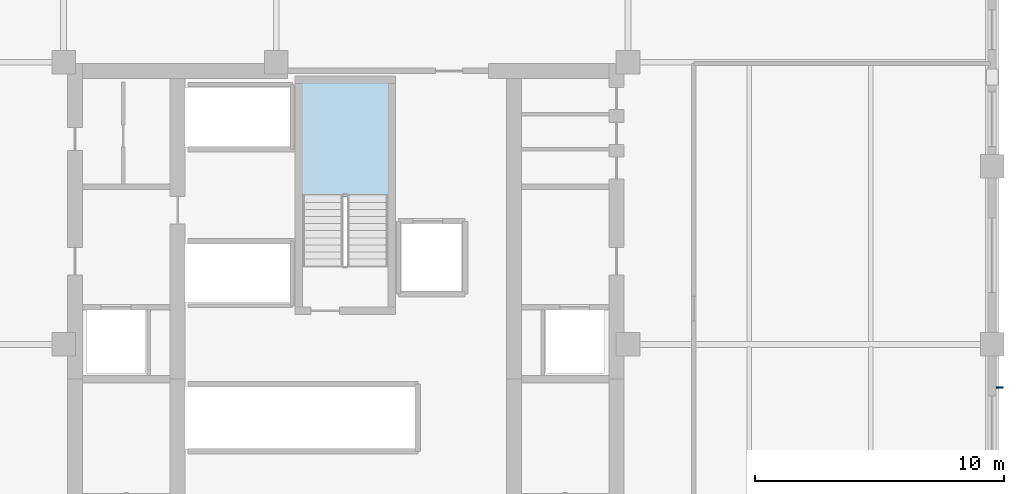
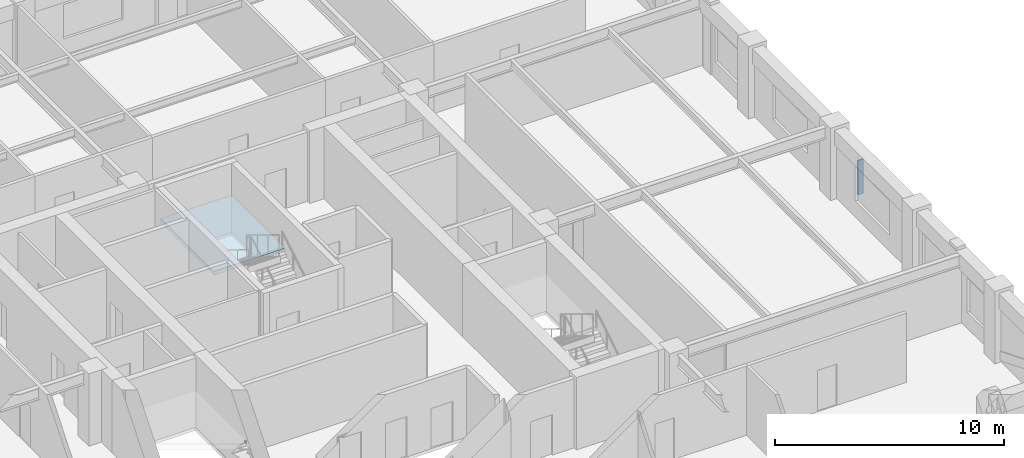
# One storey, part 4 of 9: 1 plate, 1 slab, 1 element without a shape of its own.
"""IFC4 building model written with IfcOpenShell, lengths in metres."""

from ifc_helpers import new_model, si_unit, direction, frame, origin, origin_2d, place, context, subcontext, project, spatial, polyline, rectangle, outline, extrude, material, layer, layer_set, type_object, element, aggregate, save


model = new_model("IFC4")

# Units and contexts
model_context = context("Model", 3, precision=1e-05, world=origin(), true_north=direction((0.0, 1.0)))
body_context = subcontext(model_context, "Body", "Model", "MODEL_VIEW")
ifc_project = project(units=[si_unit("LENGTHUNIT", "METRE"), si_unit("AREAUNIT", "SQUARE_METRE"), si_unit("VOLUMEUNIT", "CUBIC_METRE"), si_unit("PLANEANGLEUNIT", "RADIAN"), si_unit("MASSUNIT", "GRAM", prefix="KILO")], contexts=[model_context])

# Site, building, storey
site_placement = place(None, origin())
site = spatial("IfcSite", under=ifc_project, at=site_placement, CompositionType="ELEMENT")
building_placement = place(site_placement, origin())
building = spatial("IfcBuilding", under=site, at=building_placement, Name="Nhamokura Convention Tower", CompositionType="ELEMENT")
storey_placement = place(building_placement, frame((0.0, 0.0, 126.0)))
storey = spatial("IfcBuildingStorey", under=building, at=storey_placement, Name="L30", CompositionType="ELEMENT", Elevation=126.0)

# Plate
ifc_material_1 = material(Name="Anodised bronze aluminium AA6063-T6", Category="aluminium")
plate_type = type_object("IfcPlateType", Name="BronzeSolarFin_2", PredefinedType="USERDEFINED", material=ifc_material_1)
plate_placement = place(storey_placement, frame((58.300048828125, 30.2666015625, 0.85009765625), z_axis=(0.0, 0.0, 1.0), x_axis=(1.0, 0.0, 0.0)))
element("IfcPlate", 1, at=plate_placement, inside=storey, type_object=plate_type, Name="L30 Bronze Solar Shading Fin EAST 2", ObjectType="SOLAR_FIN", PredefinedType="USERDEFINED", context=body_context, shape_type="SweptSolid", body=[
    extrude(rectangle(XDim=0.280029296875, YDim=0.06005859375, at=origin_2d()), origin(), (0.0, 0.0, 1.0), 1.8349609375),
])

# Stair, slab
ifc_material_2 = material(Name="Concrete C40/50", Category="concrete")
stair_type = type_object("IfcStairType", Name="TowerCoreStair_1650", PredefinedType="HALF_TURN_STAIR", material=ifc_material_2)
stair_placement = place(storey_placement, origin())
stair = element("IfcStair", 2, at=stair_placement, inside=storey, type_object=stair_type, Name="L30 North Core Smokeproof Stair ST-03", PredefinedType="HALF_TURN_STAIR")
ifc_material_3 = material(Name="Concrete C40/50", Category="concrete")
ifc_layer = layer(ifc_material_3, 0.199951171875)
ifc_layer_set = layer_set([ifc_layer], Name="StairLandingSlab_200")
slab_type = type_object("IfcSlabType", Name="StairLandingSlab_200", PredefinedType="LANDING", material=ifc_layer_set)
slab_placement = place(storey_placement, frame((0.0, 0.0, 1.72509765625)))
slab = element("IfcSlab", 3, at=slab_placement, type_object=slab_type, Name="ST-03 landing 1", PredefinedType="LANDING", context=body_context, shape_type="SweptSolid", body=[
    extrude(outline(polyline([(33.780029296875, 37.919921875), (33.780029296875, 42.580078125), (30.169921875, 42.580078125), (30.169921875, 37.919921875), (33.780029296875, 37.919921875)])), origin(), (0.0, 0.0, 1.0), 0.199951171875),
])
aggregate(stair, [slab])

save(model, "model.ifc")
